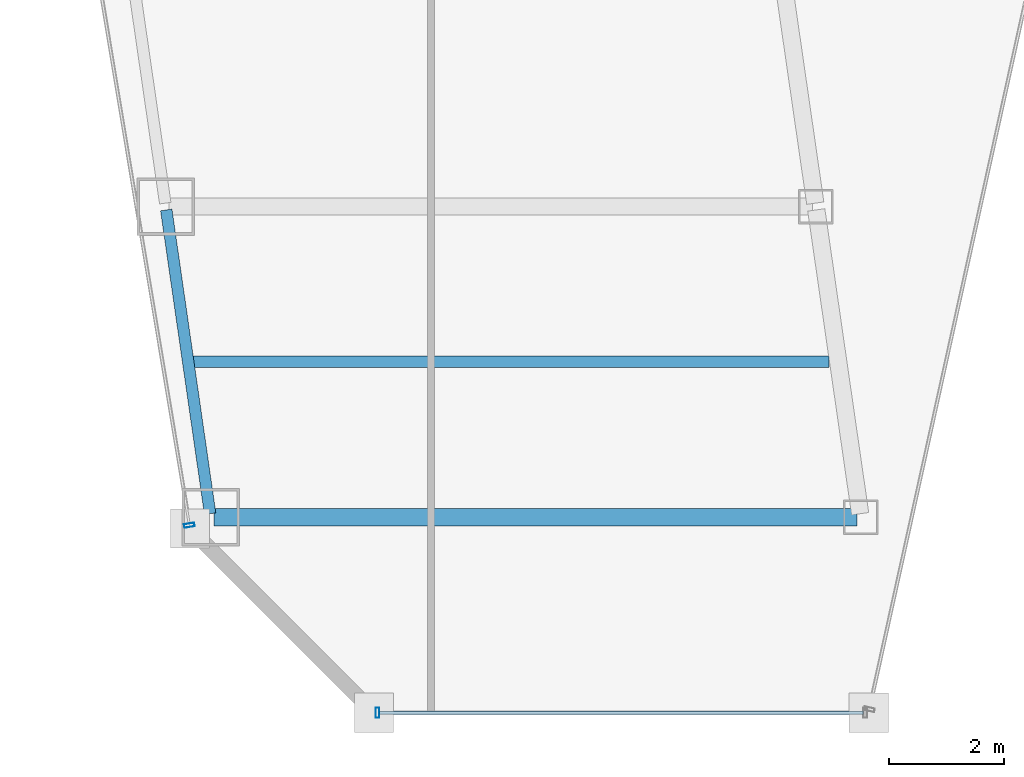
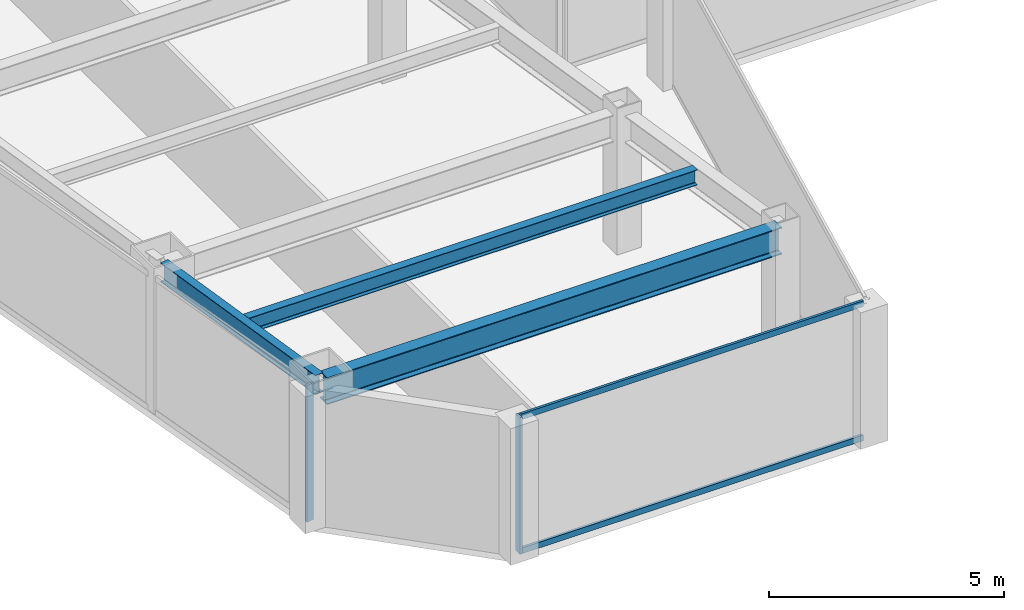
# One storey, part 2 of 37: 4 members, 3 beams, 2 elements without a shape of their own.
"""IFC4 building model written with IfcOpenShell, lengths in metres."""

from ifc_helpers import new_model, si_unit, direction, frame, origin, origin_2d, place, context, subcontext, project, spatial, hollow_rectangle, i_section, extrude, material, material_profile, profile_set, type_object, element, aggregate, save


model = new_model("IFC4")

# Units and contexts
model_context = context("Model", 3, precision=1e-05, world=origin(), true_north=direction((0.0, 1.0)))
body_context = subcontext(model_context, "Body", "Model", "MODEL_VIEW")
ifc_project = project(units=[si_unit("LENGTHUNIT", "METRE"), si_unit("AREAUNIT", "SQUARE_METRE"), si_unit("VOLUMEUNIT", "CUBIC_METRE"), si_unit("PLANEANGLEUNIT", "RADIAN"), si_unit("MASSUNIT", "GRAM", prefix="KILO")], contexts=[model_context])

# Site, building, storey
site_placement = place(None, origin())
site = spatial("IfcSite", under=ifc_project, at=site_placement, CompositionType="ELEMENT")
building_placement = place(site_placement, origin())
building = spatial("IfcBuilding", under=site, at=building_placement, Name="Saevonmaru Cultural Tower", CompositionType="ELEMENT")
storey_placement = place(building_placement, frame((0.0, 0.0, 141.0)))
storey = spatial("IfcBuildingStorey", under=building, at=storey_placement, Name="L30", CompositionType="ELEMENT", Elevation=141.0)

# Beams
ifc_material_1 = material(Name="Steel SM355", Category="steel")
ifc_material_profile_1 = material_profile(ifc_material_1, i_section(OverallWidth=0.300048828125, OverallDepth=0.699951171875, WebThickness=0.012939453125, FlangeThickness=0.02392578125, FilletRadius=0.02587890625, at=origin_2d()), Name="H-700x300x13x24")
ifc_profile_set_1 = profile_set([ifc_material_profile_1], Name="Steel SM355")
beam_type_1 = type_object("IfcBeamType", Name="BM-G-H700", PredefinedType="BEAM", material=ifc_profile_set_1)
beam_1_placement = place(storey_placement, frame((11.468017578125, 10.60009765625, 3.199951171875), z_axis=(1.0, 0.0, 0.0), x_axis=(0.0, 1.0, 0.0)))
element("IfcBeam", 1, at=beam_1_placement, inside=storey, type_object=beam_type_1, Name="L30 West Wing Transverse Girder 1", PredefinedType="BEAM", context=body_context, shape_type="SweptSolid", body=[
    extrude(i_section(OverallWidth=0.300048828125, OverallDepth=0.699951171875, WebThickness=0.012939453125, FlangeThickness=0.02392578125, FilletRadius=0.02587890625, at=origin_2d()), origin(), (0.0, 0.0, 1.0), 11.179931640625),
])
ifc_material_profile_2 = material_profile(ifc_material_1, i_section(OverallWidth=0.199951171875, OverallDepth=0.39990234375, WebThickness=0.008056640625, FlangeThickness=0.012939453125, FilletRadius=0.01611328125, at=origin_2d()), Name="H-400x200x8x13")
ifc_profile_set_2 = profile_set([ifc_material_profile_2], Name="Steel SM355")
beam_type_2 = type_object("IfcBeamType", Name="BM-J-H400", PredefinedType="JOIST", material=ifc_profile_set_2)
beam_2_placement = place(storey_placement, frame((11.077880859375, 13.300048828125, 3.35009765625), z_axis=(1.0, 0.0, 0.0), x_axis=(0.0, 1.0, 0.0)))
element("IfcBeam", 2, at=beam_2_placement, inside=storey, type_object=beam_type_2, Name="L30 West Wing Floor Joist 1", PredefinedType="JOIST", context=body_context, shape_type="SweptSolid", body=[
    extrude(i_section(OverallWidth=0.199951171875, OverallDepth=0.39990234375, WebThickness=0.008056640625, FlangeThickness=0.012939453125, FilletRadius=0.01611328125, at=origin_2d()), origin(), (0.0, 0.0, 1.0), 11.08203125),
])
ifc_material_profile_3 = material_profile(ifc_material_1, i_section(OverallWidth=0.199951171875, OverallDepth=0.5, WebThickness=0.010009765625, FlangeThickness=0.01611328125, FilletRadius=0.02001953125, at=origin_2d()), Name="H-500x200x10x16")
ifc_profile_set_3 = profile_set([ifc_material_profile_3], Name="Steel SM355")
beam_type_3 = type_object("IfcBeamType", Name="BM-SP-H500", PredefinedType="SPANDREL", material=ifc_profile_set_3)
beam_3_placement = place(storey_placement, frame((11.3994140625, 10.659423828125, 3.300048828125), z_axis=(-0.1429328758, 0.989732384544, 0.0), x_axis=(-0.989732384544, -0.1429328758, 0.0)))
element("IfcBeam", 3, at=beam_3_placement, inside=storey, type_object=beam_type_3, Name="L30 West Splayed Spandrel 1", PredefinedType="SPANDREL", context=body_context, shape_type="SweptSolid", body=[
    extrude(i_section(OverallWidth=0.199951171875, OverallDepth=0.5, WebThickness=0.010009765625, FlangeThickness=0.01611328125, FilletRadius=0.02001953125, at=origin_2d()), origin(), (0.0, 0.0, 1.0), 5.3359375),
])

# Curtain wall, member
ifc_material_2 = material(Name="Satin Bronze Anodised Aluminium", Category="aluminium")
curtain_wall_type = type_object("IfcCurtainWallType", Name="CW-TYP-A", PredefinedType="NOTDEFINED", material=ifc_material_2)
curtain_wall_1_placement = place(storey_placement, origin())
curtain_wall_1 = element("IfcCurtainWall", 4, at=curtain_wall_1_placement, inside=storey, type_object=curtain_wall_type, Name="L30 Unitised Curtain Wall E2", PredefinedType="NOTDEFINED")
ifc_material_profile_4 = material_profile(ifc_material_2, hollow_rectangle(XDim=0.06494140625, YDim=0.179931640625, WallThickness=0.00390625, at=origin_2d()), Name="ALU-MULL-180x65x4")
ifc_profile_set_4 = profile_set([ifc_material_profile_4], Name="Satin Bronze Anodised Aluminium")
member_type_1 = type_object("IfcMemberType", Name="ML-CW-180x65", PredefinedType="MULLION", material=ifc_profile_set_4)
member_1_placement = place(storey_placement, frame((14.308837890625, 7.199951171875, 0.0), z_axis=(0.0, 0.0, 1.0), x_axis=(1.0, 0.0, 0.0)))
member_1 = element("IfcMember", 5, at=member_1_placement, type_object=member_type_1, Name="CW-TW-L30-E2 mullion 1", PredefinedType="MULLION", context=body_context, shape_type="SweptSolid", body=[
    extrude(hollow_rectangle(XDim=0.06494140625, YDim=0.179931640625, WallThickness=0.00390625, at=origin_2d()), origin(), (0.0, 0.0, 1.0), 3.550048828125),
])

curtain_wall_2_placement = place(storey_placement, origin())
curtain_wall_2 = element("IfcCurtainWall", 6, at=curtain_wall_2_placement, inside=storey, type_object=curtain_wall_type, Name="L30 Unitised Curtain Wall E12", PredefinedType="NOTDEFINED")
member_2_placement = place(storey_placement, frame((11.0390625, 10.459228515625, 0.0), z_axis=(0.0, 0.0, 1.0), x_axis=(0.163998702345, -0.986460554523, 0.0)))
member_2 = element("IfcMember", 7, at=member_2_placement, type_object=member_type_1, Name="CW-TW-L30-E12 mullion 5", PredefinedType="MULLION", context=body_context, shape_type="SweptSolid", body=[
    extrude(hollow_rectangle(XDim=0.06494140625, YDim=0.179931640625, WallThickness=0.00390625, at=origin_2d()), origin(), (0.0, 0.0, 1.0), 3.550048828125),
])
aggregate(curtain_wall_2, [member_2])

# Member
ifc_material_profile_5 = material_profile(ifc_material_2, hollow_rectangle(XDim=0.06494140625, YDim=0.14990234375, WallThickness=0.00390625, at=origin_2d()), Name="ALU-TRAN-150x65x4")
ifc_profile_set_5 = profile_set([ifc_material_profile_5], Name="Satin Bronze Anodised Aluminium")
member_type_2 = type_object("IfcMemberType", Name="TR-CW-150x65", PredefinedType="USERDEFINED", material=ifc_profile_set_5)
member_3_placement = place(storey_placement, frame((14.34130859375, 7.199951171875, 0.032470703125), z_axis=(1.0, 0.0, 0.0), x_axis=(0.0, 1.0, 0.0)))
member_3 = element("IfcMember", 8, at=member_3_placement, type_object=member_type_2, Name="CW-TW-L30-E2 transom 1.1", ObjectType="TRANSOM", PredefinedType="USERDEFINED", context=body_context, shape_type="SweptSolid", body=[
    extrude(hollow_rectangle(XDim=0.06494140625, YDim=0.14990234375, WallThickness=0.00390625, at=origin_2d()), origin(), (0.0, 0.0, 1.0), 8.4150390625),
])

member_4_placement = place(storey_placement, frame((14.34130859375, 7.199951171875, 3.517578125), z_axis=(1.0, 0.0, 0.0), x_axis=(0.0, 1.0, 0.0)))
member_4 = element("IfcMember", 9, at=member_4_placement, type_object=member_type_2, Name="CW-TW-L30-E2 transom 1.2", ObjectType="TRANSOM", PredefinedType="USERDEFINED", context=body_context, shape_type="SweptSolid", body=[
    extrude(hollow_rectangle(XDim=0.06494140625, YDim=0.14990234375, WallThickness=0.00390625, at=origin_2d()), origin(), (0.0, 0.0, 1.0), 8.4150390625),
])

aggregate(curtain_wall_1, [member_1, member_3, member_4])

save(model, "model.ifc")
